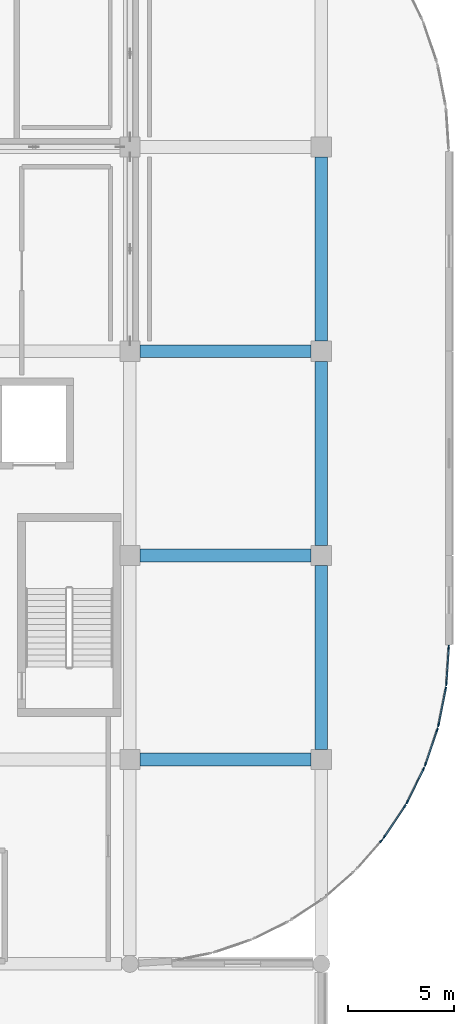
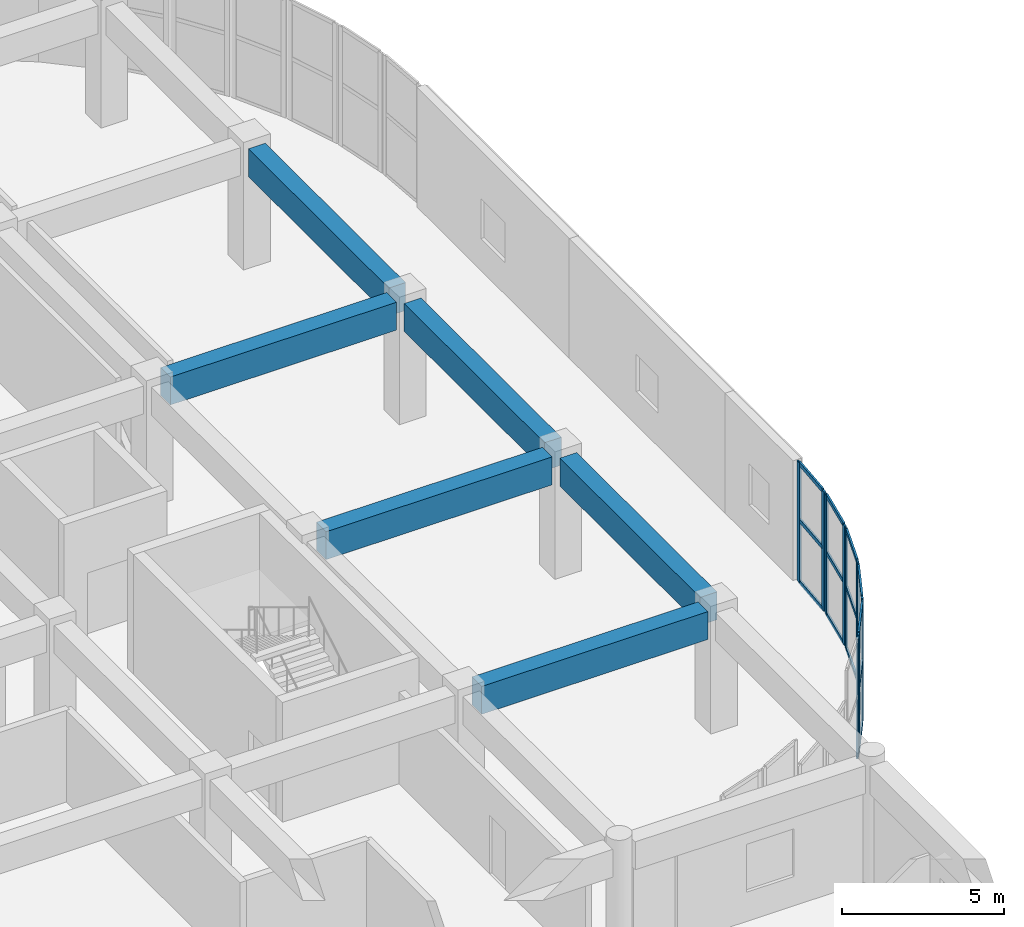
# One storey, part 39 of 86: 26 members, 6 beams, 6 elements without a shape of their own.
"""IFC4 building model written with IfcOpenShell, lengths in metres."""

from ifc_helpers import new_model, si_unit, direction, frame, origin, origin_2d, place, context, subcontext, project, spatial, rectangle, extrude, material, layer, layer_set, material_profile, profile_set, type_object, element, aggregate, save


model = new_model("IFC4")

# Units and contexts
model_context = context("Model", 3, precision=1e-05, world=origin(), true_north=direction((0.0, 1.0)))
body_context = subcontext(model_context, "Body", "Model", "MODEL_VIEW")
ifc_project = project(units=[si_unit("LENGTHUNIT", "METRE"), si_unit("AREAUNIT", "SQUARE_METRE"), si_unit("VOLUMEUNIT", "CUBIC_METRE"), si_unit("PLANEANGLEUNIT", "RADIAN"), si_unit("MASSUNIT", "GRAM", prefix="KILO")], contexts=[model_context])

# Site, building, storey
site_placement = place(None, origin())
site = spatial("IfcSite", under=ifc_project, at=site_placement, CompositionType="ELEMENT")
building_placement = place(site_placement, origin())
building = spatial("IfcBuilding", under=site, at=building_placement, Name="Cendralis Terraced Arcade", CompositionType="ELEMENT")
storey_placement = place(building_placement, frame((0.0, 0.0, 5.39990234375)))
storey = spatial("IfcBuildingStorey", under=building, at=storey_placement, Name="L01", CompositionType="ELEMENT", Elevation=5.39990234375)

# Beams
ifc_material_1 = material(Name="Concrete f'c 35 MPa", Category="concrete")
ifc_material_profile_1 = material_profile(ifc_material_1, rectangle(XDim=0.60009765625, YDim=1.050048828125, at=origin_2d()), Name="RC-BM-600x1050", Category="LoadBearing")
ifc_profile_set_1 = profile_set([ifc_material_profile_1], Name="Concrete f'c 35 MPa")
beam_type = type_object("IfcBeamType", Name="BM-600x1050", PredefinedType="JOIST", material=ifc_profile_set_1)
for number, where, z_axis, x_axis, name in (
    (1, (157.675048828125, 69.60009765625, 3.97998046875), (1.0, 0.0, 0.0), (0.0, 1.0, 0.0), "Reinforced Concrete Frame Beam BM-X-L02-H-18_19"),
    (2, (157.675048828125, 79.199951171875, 3.97998046875), (1.0, 0.0, 0.0), (0.0, 1.0, 0.0), "Reinforced Concrete Frame Beam BM-X-L02-J-18_19"),
    (3, (157.675048828125, 88.800048828125, 3.97998046875), (1.0, 0.0, 0.0), (0.0, 1.0, 0.0), "Reinforced Concrete Frame Beam BM-X-L02-K-18_19"),
):
    element("IfcBeam", number, at=place(storey_placement, frame(where, z_axis=z_axis, x_axis=x_axis)), inside=storey, type_object=beam_type, Name=name, PredefinedType="JOIST", context=body_context, shape_type="SweptSolid", body=[
        extrude(rectangle(XDim=0.60009765625, YDim=1.050048828125, at=origin_2d()), origin(), (0.0, 0.0, 1.0), 8.050048828125),
    ])
beam_1_placement = place(storey_placement, frame((166.199951171875, 70.074951171875, 3.97998046875), z_axis=(0.0, 1.0, 0.0), x_axis=(-1.0, 0.0, 0.0)))
element("IfcBeam", 4, at=beam_1_placement, inside=storey, type_object=beam_type, Name="Reinforced Concrete Frame Beam BM-Y-L02-19-H_J", PredefinedType="JOIST", context=body_context, shape_type="SweptSolid", body=[
    extrude(rectangle(XDim=0.60009765625, YDim=1.050048828125, at=origin_2d()), origin(), (0.0, 0.0, 1.0), 8.650146484375),
])
beam_2_placement = place(storey_placement, frame((166.199951171875, 79.675048828125, 3.97998046875), z_axis=(0.0, 1.0, 0.0), x_axis=(-1.0, 0.0, 0.0)))
element("IfcBeam", 5, at=beam_2_placement, inside=storey, type_object=beam_type, Name="Reinforced Concrete Frame Beam BM-Y-L02-19-J_K", PredefinedType="JOIST", context=body_context, shape_type="SweptSolid", body=[
    extrude(rectangle(XDim=0.60009765625, YDim=1.050048828125, at=origin_2d()), origin(), (0.0, 0.0, 1.0), 8.64990234375),
])
beam_3_placement = place(storey_placement, frame((166.199951171875, 89.27490234375, 3.97998046875), z_axis=(0.0, 1.0, 0.0), x_axis=(-1.0, 0.0, 0.0)))
element("IfcBeam", 6, at=beam_3_placement, inside=storey, type_object=beam_type, Name="Reinforced Concrete Frame Beam BM-Y-L02-19-K_L", PredefinedType="JOIST", context=body_context, shape_type="SweptSolid", body=[
    extrude(rectangle(XDim=0.60009765625, YDim=1.050048828125, at=origin_2d()), origin(), (0.0, 0.0, 1.0), 8.650146484375),
])

# Curtain wall, members
ifc_material_2 = material(Name="Anodised aluminium EN AW-6063 T6", Category="aluminium")
ifc_layer = layer(ifc_material_2, 0.179931640625, Name="CW-UNIT-A")
ifc_layer_set = layer_set([ifc_layer], Name="Anodised aluminium EN AW-6063 T6")
curtain_wall_type = type_object("IfcCurtainWallType", Name="CW-UNIT-A", PredefinedType="USERDEFINED", material=ifc_layer_set)
curtain_wall_1_placement = place(storey_placement, origin())
curtain_wall_1 = element("IfcCurtainWall", 7, at=curtain_wall_1_placement, inside=storey, type_object=curtain_wall_type, Name="Exterior Unitised Facade CW-L01-0066", ObjectType="UNITISED FACADE", PredefinedType="USERDEFINED")
ifc_material_profile_2 = material_profile(ifc_material_2, rectangle(XDim=0.06494140625, YDim=0.179931640625, at=origin_2d()), Name="ALU-MUL-65x180")
ifc_profile_set_2 = profile_set([ifc_material_profile_2], Name="Anodised aluminium EN AW-6063 T6")
member_type_1 = type_object("IfcMemberType", Name="CW-UNIT-A-MUL", PredefinedType="MULLION", material=ifc_profile_set_2)
member_1_placement = place(storey_placement, frame((172.19189453125, 74.877685546875, 0.0), z_axis=(0.0, 0.0, 1.0), x_axis=(0.997860971336, -0.065371873798, 0.0)))
member_1 = element("IfcMember", 8, at=member_1_placement, type_object=member_type_1, Name="CW-U1 mullion 1", PredefinedType="MULLION", context=body_context, shape_type="SweptSolid", body=[
    extrude(rectangle(XDim=0.06494140625, YDim=0.179931640625, at=origin_2d()), origin(), (0.0, 0.0, 1.0), 4.505126953125),
])
member_2_placement = place(storey_placement, frame((172.079833984375, 73.164306640625, 0.0), z_axis=(0.0, 0.0, 1.0), x_axis=(0.997860971336, -0.065371873798, 0.0)))
member_2 = element("IfcMember", 9, at=member_2_placement, type_object=member_type_1, Name="CW-U1 mullion 2", PredefinedType="MULLION", context=body_context, shape_type="SweptSolid", body=[
    extrude(rectangle(XDim=0.06494140625, YDim=0.179931640625, at=origin_2d()), origin(), (0.0, 0.0, 1.0), 4.505126953125),
])

curtain_wall_2_placement = place(storey_placement, origin())
curtain_wall_2 = element("IfcCurtainWall", 10, at=curtain_wall_2_placement, inside=storey, type_object=curtain_wall_type, Name="Exterior Unitised Facade CW-L01-0067", ObjectType="UNITISED FACADE", PredefinedType="USERDEFINED")
member_3_placement = place(storey_placement, frame((172.0478515625, 72.921875, 0.0), z_axis=(0.0, 0.0, 1.0), x_axis=(0.980791618721, -0.195058454434, 0.0)))
member_3 = element("IfcMember", 11, at=member_3_placement, type_object=member_type_1, Name="CW-U1 mullion 1", PredefinedType="MULLION", context=body_context, shape_type="SweptSolid", body=[
    extrude(rectangle(XDim=0.06494140625, YDim=0.179931640625, at=origin_2d()), origin(), (0.0, 0.0, 1.0), 4.505126953125),
])
member_4_placement = place(storey_placement, frame((171.712890625, 71.23779296875, 0.0), z_axis=(0.0, 0.0, 1.0), x_axis=(0.980791618721, -0.195058454434, 0.0)))
member_4 = element("IfcMember", 12, at=member_4_placement, type_object=member_type_1, Name="CW-U1 mullion 2", PredefinedType="MULLION", context=body_context, shape_type="SweptSolid", body=[
    extrude(rectangle(XDim=0.06494140625, YDim=0.179931640625, at=origin_2d()), origin(), (0.0, 0.0, 1.0), 4.505126953125),
])

curtain_wall_3_placement = place(storey_placement, origin())
curtain_wall_3 = element("IfcCurtainWall", 13, at=curtain_wall_3_placement, inside=storey, type_object=curtain_wall_type, Name="Exterior Unitised Facade CW-L01-0068", ObjectType="UNITISED FACADE", PredefinedType="USERDEFINED")
member_5_placement = place(storey_placement, frame((171.649658203125, 71.001708984375, 0.0), z_axis=(0.0, 0.0, 1.0), x_axis=(0.946923811316, -0.321458077458, 0.0)))
member_5 = element("IfcMember", 14, at=member_5_placement, type_object=member_type_1, Name="CW-U1 mullion 1", PredefinedType="MULLION", context=body_context, shape_type="SweptSolid", body=[
    extrude(rectangle(XDim=0.06494140625, YDim=0.179931640625, at=origin_2d()), origin(), (0.0, 0.0, 1.0), 4.505126953125),
])
member_6_placement = place(storey_placement, frame((171.09765625, 69.375732421875, 0.0), z_axis=(0.0, 0.0, 1.0), x_axis=(0.946923811316, -0.321458077458, 0.0)))
member_6 = element("IfcMember", 15, at=member_6_placement, type_object=member_type_1, Name="CW-U1 mullion 2", PredefinedType="MULLION", context=body_context, shape_type="SweptSolid", body=[
    extrude(rectangle(XDim=0.06494140625, YDim=0.179931640625, at=origin_2d()), origin(), (0.0, 0.0, 1.0), 4.505126953125),
])

curtain_wall_4_placement = place(storey_placement, origin())
curtain_wall_4 = element("IfcCurtainWall", 16, at=curtain_wall_4_placement, inside=storey, type_object=curtain_wall_type, Name="Exterior Unitised Facade CW-L01-0069", ObjectType="UNITISED FACADE", PredefinedType="USERDEFINED")
member_7_placement = place(storey_placement, frame((171.00390625, 69.14990234375, 0.0), z_axis=(0.0, 0.0, 1.0), x_axis=(0.896871480419, -0.442291247495, 0.0)))
member_7 = element("IfcMember", 17, at=member_7_placement, type_object=member_type_1, Name="CW-U1 mullion 1", PredefinedType="MULLION", context=body_context, shape_type="SweptSolid", body=[
    extrude(rectangle(XDim=0.06494140625, YDim=0.179931640625, at=origin_2d()), origin(), (0.0, 0.0, 1.0), 4.505126953125),
])
member_8_placement = place(storey_placement, frame((170.24462890625, 67.60986328125, 0.0), z_axis=(0.0, 0.0, 1.0), x_axis=(0.896871480419, -0.442291247495, 0.0)))
member_8 = element("IfcMember", 18, at=member_8_placement, type_object=member_type_1, Name="CW-U1 mullion 2", PredefinedType="MULLION", context=body_context, shape_type="SweptSolid", body=[
    extrude(rectangle(XDim=0.06494140625, YDim=0.179931640625, at=origin_2d()), origin(), (0.0, 0.0, 1.0), 4.505126953125),
])

curtain_wall_5_placement = place(storey_placement, origin())
curtain_wall_5 = element("IfcCurtainWall", 19, at=curtain_wall_5_placement, inside=storey, type_object=curtain_wall_type, Name="Exterior Unitised Facade CW-L01-0070", ObjectType="UNITISED FACADE", PredefinedType="USERDEFINED")
member_9_placement = place(storey_placement, frame((170.122314453125, 67.398193359375, 0.0), z_axis=(0.0, 0.0, 1.0), x_axis=(0.831471454125, -0.555567476528, 0.0)))
member_9 = element("IfcMember", 20, at=member_9_placement, type_object=member_type_1, Name="CW-U1 mullion 1", PredefinedType="MULLION", context=body_context, shape_type="SweptSolid", body=[
    extrude(rectangle(XDim=0.06494140625, YDim=0.179931640625, at=origin_2d()), origin(), (0.0, 0.0, 1.0), 4.505126953125),
])
member_10_placement = place(storey_placement, frame((169.16845703125, 65.970458984375, 0.0), z_axis=(0.0, 0.0, 1.0), x_axis=(0.831471454125, -0.555567476528, 0.0)))
member_10 = element("IfcMember", 21, at=member_10_placement, type_object=member_type_1, Name="CW-U1 mullion 2", PredefinedType="MULLION", context=body_context, shape_type="SweptSolid", body=[
    extrude(rectangle(XDim=0.06494140625, YDim=0.179931640625, at=origin_2d()), origin(), (0.0, 0.0, 1.0), 4.505126953125),
])

# Curtain wall, member
curtain_wall_6_placement = place(storey_placement, origin())
curtain_wall_6 = element("IfcCurtainWall", 22, at=curtain_wall_6_placement, inside=storey, type_object=curtain_wall_type, Name="Exterior Unitised Facade CW-L01-0071", ObjectType="UNITISED FACADE", PredefinedType="USERDEFINED")
member_11_placement = place(storey_placement, frame((169.01953125, 65.7763671875, 0.0), z_axis=(0.0, 0.0, 1.0), x_axis=(0.751804497477, -0.659386076266, 0.0)))
member_11 = element("IfcMember", 23, at=member_11_placement, type_object=member_type_1, Name="CW-U1 mullion 1", PredefinedType="MULLION", context=body_context, shape_type="SweptSolid", body=[
    extrude(rectangle(XDim=0.06494140625, YDim=0.179931640625, at=origin_2d()), origin(), (0.0, 0.0, 1.0), 4.505126953125),
])
aggregate(curtain_wall_6, [member_11])

# Member
ifc_material_profile_3 = material_profile(ifc_material_2, rectangle(XDim=0.06494140625, YDim=0.14990234375, at=origin_2d()), Name="ALU-TRN-65x150")
ifc_profile_set_3 = profile_set([ifc_material_profile_3], Name="Anodised aluminium EN AW-6063 T6")
member_type_2 = type_object("IfcMemberType", Name="CW-UNIT-A-TRN", PredefinedType="USERDEFINED", material=ifc_profile_set_3)
member_12_placement = place(storey_placement, frame((172.18994140625, 74.845458984375, 0.03271484375), z_axis=(-0.065459774551, -0.997855208893, 0.0), x_axis=(0.997855208893, -0.065459774551, 0.0)))
member_12 = element("IfcMember", 24, at=member_12_placement, type_object=member_type_2, Name="CW-U1 transom 1.1", ObjectType="TRANSOM", PredefinedType="USERDEFINED", context=body_context, shape_type="SweptSolid", body=[
    extrude(rectangle(XDim=0.06494140625, YDim=0.14990234375, at=origin_2d()), origin(), (0.0, 0.0, 1.0), 1.65234375),
])

member_13_placement = place(storey_placement, frame((172.18994140625, 74.845458984375, 2.3427734375), z_axis=(-0.065459774551, -0.997855208893, 0.0), x_axis=(0.997855208893, -0.065459774551, 0.0)))
member_13 = element("IfcMember", 25, at=member_13_placement, type_object=member_type_2, Name="CW-U1 transom 1.2", ObjectType="TRANSOM", PredefinedType="USERDEFINED", context=body_context, shape_type="SweptSolid", body=[
    extrude(rectangle(XDim=0.06494140625, YDim=0.14990234375, at=origin_2d()), origin(), (0.0, 0.0, 1.0), 1.65234375),
])

member_14_placement = place(storey_placement, frame((172.18994140625, 74.845458984375, 4.47265625), z_axis=(-0.065459774551, -0.997855208893, 0.0), x_axis=(0.997855208893, -0.065459774551, 0.0)))
member_14 = element("IfcMember", 26, at=member_14_placement, type_object=member_type_2, Name="CW-U1 transom 1.3", ObjectType="TRANSOM", PredefinedType="USERDEFINED", context=body_context, shape_type="SweptSolid", body=[
    extrude(rectangle(XDim=0.06494140625, YDim=0.14990234375, at=origin_2d()), origin(), (0.0, 0.0, 1.0), 1.65234375),
])

aggregate(curtain_wall_1, [member_1, member_2, member_12, member_13, member_14])

member_15_placement = place(storey_placement, frame((172.04150390625, 72.89013671875, 0.03271484375), z_axis=(-0.195064538134, -0.980790408784, 0.0), x_axis=(0.980790408784, -0.195064538134, 0.0)))
member_15 = element("IfcMember", 27, at=member_15_placement, type_object=member_type_2, Name="CW-U1 transom 1.1", ObjectType="TRANSOM", PredefinedType="USERDEFINED", context=body_context, shape_type="SweptSolid", body=[
    extrude(rectangle(XDim=0.06494140625, YDim=0.14990234375, at=origin_2d()), origin(), (0.0, 0.0, 1.0), 1.652099609375),
])

member_16_placement = place(storey_placement, frame((172.04150390625, 72.89013671875, 2.3427734375), z_axis=(-0.195064538134, -0.980790408784, 0.0), x_axis=(0.980790408784, -0.195064538134, 0.0)))
member_16 = element("IfcMember", 28, at=member_16_placement, type_object=member_type_2, Name="CW-U1 transom 1.2", ObjectType="TRANSOM", PredefinedType="USERDEFINED", context=body_context, shape_type="SweptSolid", body=[
    extrude(rectangle(XDim=0.06494140625, YDim=0.14990234375, at=origin_2d()), origin(), (0.0, 0.0, 1.0), 1.652099609375),
])

member_17_placement = place(storey_placement, frame((172.04150390625, 72.89013671875, 4.47265625), z_axis=(-0.195064538134, -0.980790408784, 0.0), x_axis=(0.980790408784, -0.195064538134, 0.0)))
member_17 = element("IfcMember", 29, at=member_17_placement, type_object=member_type_2, Name="CW-U1 transom 1.3", ObjectType="TRANSOM", PredefinedType="USERDEFINED", context=body_context, shape_type="SweptSolid", body=[
    extrude(rectangle(XDim=0.06494140625, YDim=0.14990234375, at=origin_2d()), origin(), (0.0, 0.0, 1.0), 1.652099609375),
])

aggregate(curtain_wall_2, [member_3, member_4, member_15, member_16, member_17])

member_18_placement = place(storey_placement, frame((171.63916015625, 70.970947265625, 0.03271484375), z_axis=(-0.321542430228, -0.94689517137, 0.0), x_axis=(0.94689517137, -0.321542430228, 0.0)))
member_18 = element("IfcMember", 30, at=member_18_placement, type_object=member_type_2, Name="CW-U1 transom 1.1", ObjectType="TRANSOM", PredefinedType="USERDEFINED", context=body_context, shape_type="SweptSolid", body=[
    extrude(rectangle(XDim=0.06494140625, YDim=0.14990234375, at=origin_2d()), origin(), (0.0, 0.0, 1.0), 1.652099609375),
])

member_19_placement = place(storey_placement, frame((171.63916015625, 70.970947265625, 2.3427734375), z_axis=(-0.321542430228, -0.94689517137, 0.0), x_axis=(0.94689517137, -0.321542430228, 0.0)))
member_19 = element("IfcMember", 31, at=member_19_placement, type_object=member_type_2, Name="CW-U1 transom 1.2", ObjectType="TRANSOM", PredefinedType="USERDEFINED", context=body_context, shape_type="SweptSolid", body=[
    extrude(rectangle(XDim=0.06494140625, YDim=0.14990234375, at=origin_2d()), origin(), (0.0, 0.0, 1.0), 1.652099609375),
])

member_20_placement = place(storey_placement, frame((171.63916015625, 70.970947265625, 4.47265625), z_axis=(-0.321542430228, -0.94689517137, 0.0), x_axis=(0.94689517137, -0.321542430228, 0.0)))
member_20 = element("IfcMember", 32, at=member_20_placement, type_object=member_type_2, Name="CW-U1 transom 1.3", ObjectType="TRANSOM", PredefinedType="USERDEFINED", context=body_context, shape_type="SweptSolid", body=[
    extrude(rectangle(XDim=0.06494140625, YDim=0.14990234375, at=origin_2d()), origin(), (0.0, 0.0, 1.0), 1.652099609375),
])

aggregate(curtain_wall_3, [member_5, member_6, member_18, member_19, member_20])

member_21_placement = place(storey_placement, frame((170.98974609375, 69.12060546875, 0.03271484375), z_axis=(-0.442300625853, -0.896866855431, 0.0), x_axis=(0.896866855431, -0.442300625853, 0.0)))
member_21 = element("IfcMember", 33, at=member_21_placement, type_object=member_type_2, Name="CW-U1 transom 1.1", ObjectType="TRANSOM", PredefinedType="USERDEFINED", context=body_context, shape_type="SweptSolid", body=[
    extrude(rectangle(XDim=0.06494140625, YDim=0.14990234375, at=origin_2d()), origin(), (0.0, 0.0, 1.0), 1.652099609375),
])

member_22_placement = place(storey_placement, frame((170.98974609375, 69.12060546875, 2.3427734375), z_axis=(-0.442300625853, -0.896866855431, 0.0), x_axis=(0.896866855431, -0.442300625853, 0.0)))
member_22 = element("IfcMember", 34, at=member_22_placement, type_object=member_type_2, Name="CW-U1 transom 1.2", ObjectType="TRANSOM", PredefinedType="USERDEFINED", context=body_context, shape_type="SweptSolid", body=[
    extrude(rectangle(XDim=0.06494140625, YDim=0.14990234375, at=origin_2d()), origin(), (0.0, 0.0, 1.0), 1.652099609375),
])

member_23_placement = place(storey_placement, frame((170.98974609375, 69.12060546875, 4.47265625), z_axis=(-0.442300625853, -0.896866855431, 0.0), x_axis=(0.896866855431, -0.442300625853, 0.0)))
member_23 = element("IfcMember", 35, at=member_23_placement, type_object=member_type_2, Name="CW-U1 transom 1.3", ObjectType="TRANSOM", PredefinedType="USERDEFINED", context=body_context, shape_type="SweptSolid", body=[
    extrude(rectangle(XDim=0.06494140625, YDim=0.14990234375, at=origin_2d()), origin(), (0.0, 0.0, 1.0), 1.652099609375),
])

aggregate(curtain_wall_4, [member_7, member_8, member_21, member_22, member_23])

member_24_placement = place(storey_placement, frame((170.104248046875, 67.37109375, 0.03271484375), z_axis=(-0.555552554851, -0.831481424206, 0.0), x_axis=(0.831481424206, -0.555552554851, 0.0)))
member_24 = element("IfcMember", 36, at=member_24_placement, type_object=member_type_2, Name="CW-U1 transom 1.1", ObjectType="TRANSOM", PredefinedType="USERDEFINED", context=body_context, shape_type="SweptSolid", body=[
    extrude(rectangle(XDim=0.06494140625, YDim=0.14990234375, at=origin_2d()), origin(), (0.0, 0.0, 1.0), 1.65185546875),
])

member_25_placement = place(storey_placement, frame((170.104248046875, 67.37109375, 2.3427734375), z_axis=(-0.555552554851, -0.831481424206, 0.0), x_axis=(0.831481424206, -0.555552554851, 0.0)))
member_25 = element("IfcMember", 37, at=member_25_placement, type_object=member_type_2, Name="CW-U1 transom 1.2", ObjectType="TRANSOM", PredefinedType="USERDEFINED", context=body_context, shape_type="SweptSolid", body=[
    extrude(rectangle(XDim=0.06494140625, YDim=0.14990234375, at=origin_2d()), origin(), (0.0, 0.0, 1.0), 1.65185546875),
])

member_26_placement = place(storey_placement, frame((170.104248046875, 67.37109375, 4.47265625), z_axis=(-0.555552554851, -0.831481424206, 0.0), x_axis=(0.831481424206, -0.555552554851, 0.0)))
member_26 = element("IfcMember", 38, at=member_26_placement, type_object=member_type_2, Name="CW-U1 transom 1.3", ObjectType="TRANSOM", PredefinedType="USERDEFINED", context=body_context, shape_type="SweptSolid", body=[
    extrude(rectangle(XDim=0.06494140625, YDim=0.14990234375, at=origin_2d()), origin(), (0.0, 0.0, 1.0), 1.65185546875),
])

aggregate(curtain_wall_5, [member_9, member_10, member_24, member_25, member_26])

save(model, "model.ifc")
